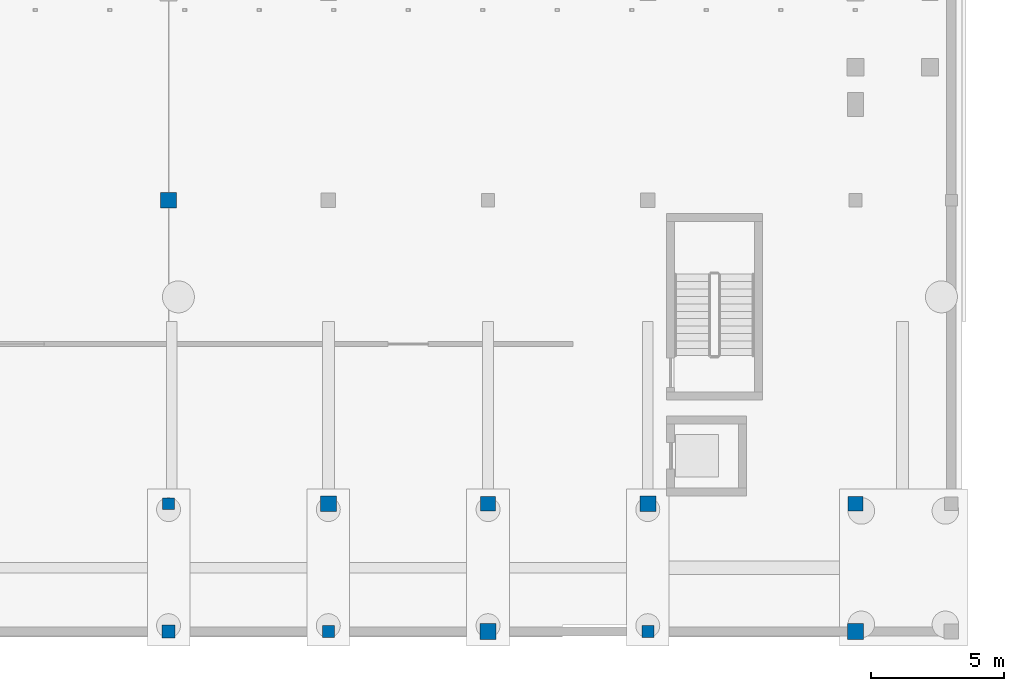
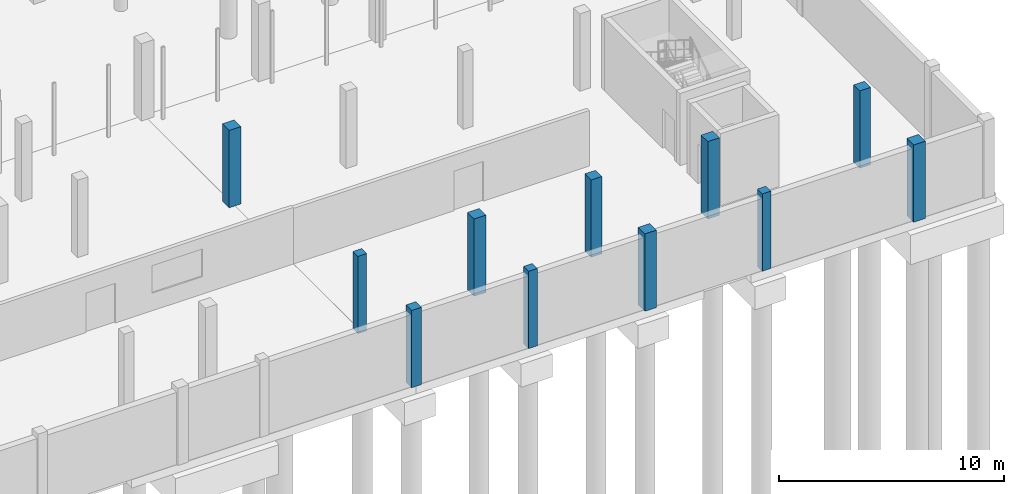
# One storey, part 9 of 34: 11 columns.
"""IFC4 building model written with IfcOpenShell, lengths in metres."""

from ifc_helpers import new_model, si_unit, direction, frame, origin, origin_2d, place, context, subcontext, project, spatial, rectangle, extrude, material, material_profile, profile_set, type_object, element, save


model = new_model("IFC4")

# Units and contexts
model_context = context("Model", 3, precision=1e-05, world=origin(), true_north=direction((0.0, 1.0)))
body_context = subcontext(model_context, "Body", "Model", "MODEL_VIEW")
ifc_project = project(units=[si_unit("LENGTHUNIT", "METRE"), si_unit("AREAUNIT", "SQUARE_METRE"), si_unit("VOLUMEUNIT", "CUBIC_METRE"), si_unit("PLANEANGLEUNIT", "RADIAN"), si_unit("MASSUNIT", "GRAM", prefix="KILO")], contexts=[model_context])

# Site, building, storey
site_placement = place(None, origin())
site = spatial("IfcSite", under=ifc_project, at=site_placement, CompositionType="ELEMENT")
building_placement = place(site_placement, origin())
building = spatial("IfcBuilding", under=site, at=building_placement, Name="Vinh Khe Railworks Police Headquarters", CompositionType="ELEMENT")
storey_placement = place(building_placement, frame((0.0, 0.0, -4.199951171875)))
storey = spatial("IfcBuildingStorey", under=building, at=storey_placement, Name="B1", CompositionType="ELEMENT", Elevation=-4.199951171875)

# Columns
ifc_material = material(Name="Concrete C40/50 (B40)", Category="concrete")
ifc_material_profile_1 = material_profile(ifc_material, rectangle(XDim=0.449951171875, YDim=0.449951171875, at=origin_2d()), Name="RC 450x450")
ifc_profile_set_1 = profile_set([ifc_material_profile_1], Name="Concrete C40/50 (B40)")
column_type_1 = type_object("IfcColumnType", Name="RC Column RC 450x450", PredefinedType="COLUMN", material=ifc_profile_set_1)
for number, where, z_axis, x_axis, name in (
    (1, (34.199951171875, 6.0, 0.0), (0.0, 0.0, 1.0), (1.0, 0.0, 0.0), "Column COL-B1-CC-08-0783"),
    (2, (40.199951171875, 1.199951171875, 0.0), (0.0, 0.0, 1.0), (1.0, 0.0, 0.0), "Column COL-B1-CC-08-0849"),
    (3, (52.199951171875, 1.199951171875, 0.0), (0.0, 0.0, 1.0), (1.0, 0.0, 0.0), "Column COL-B1-CC-08-0959"),
):
    element("IfcColumn", number, at=place(storey_placement, frame(where, z_axis=z_axis, x_axis=x_axis)), inside=storey, type_object=column_type_1, Name=name, PredefinedType="COLUMN", context=body_context, shape_type="SweptSolid", body=[
        extrude(rectangle(XDim=0.449951171875, YDim=0.449951171875, at=origin_2d()), origin(), (0.0, 0.0, 1.0), 4.199951171875),
    ])
ifc_material_profile_2 = material_profile(ifc_material, rectangle(XDim=0.5, YDim=0.5, at=origin_2d()), Name="RC 500x500")
ifc_profile_set_2 = profile_set([ifc_material_profile_2], Name="Concrete C40/50 (B40)")
column_type_2 = type_object("IfcColumnType", Name="RC Column RC 500x500", PredefinedType="COLUMN", material=ifc_profile_set_2)
column_placement = place(storey_placement, frame((34.199951171875, 1.199951171875, 0.0), z_axis=(0.0, 0.0, 1.0), x_axis=(1.0, 0.0, 0.0)))
element("IfcColumn", 4, at=column_placement, inside=storey, type_object=column_type_2, Name="Column COL-B1-CC-07-0780", PredefinedType="COLUMN", context=body_context, shape_type="SweptSolid", body=[
    extrude(rectangle(XDim=0.5, YDim=0.5, at=origin_2d()), origin(), (0.0, 0.0, 1.0), 4.199951171875),
])
ifc_material_profile_3 = material_profile(ifc_material, rectangle(XDim=0.550048828125, YDim=0.550048828125, at=origin_2d()), Name="RC 550x550")
ifc_profile_set_3 = profile_set([ifc_material_profile_3], Name="Concrete C40/50 (B40)")
column_type_3 = type_object("IfcColumnType", Name="RC Column RC 550x550", PredefinedType="COLUMN", material=ifc_profile_set_3)
for number, where, z_axis, x_axis, name in (
    (5, (46.199951171875, 6.0, 0.0), (0.0, 0.0, 1.0), (1.0, 0.0, 0.0), "Column COL-B1-CC-06-0901"),
    (6, (60.0, 6.0, 0.0), (0.0, 0.0, 1.0), (1.0, 0.0, 0.0), "Column COL-B1-CC-06-0995"),
):
    element("IfcColumn", number, at=place(storey_placement, frame(where, z_axis=z_axis, x_axis=x_axis)), inside=storey, type_object=column_type_3, Name=name, PredefinedType="COLUMN", context=body_context, shape_type="SweptSolid", body=[
        extrude(rectangle(XDim=0.550048828125, YDim=0.550048828125, at=origin_2d()), origin(), (0.0, 0.0, 1.0), 4.199951171875),
    ])
ifc_material_profile_4 = material_profile(ifc_material, rectangle(XDim=0.60009765625, YDim=0.60009765625, at=origin_2d()), Name="RC 600x600")
ifc_profile_set_4 = profile_set([ifc_material_profile_4], Name="Concrete C40/50 (B40)")
column_type_4 = type_object("IfcColumnType", Name="RC Column RC 600x600", PredefinedType="COLUMN", material=ifc_profile_set_4)
for number, where, z_axis, x_axis, name in (
    (7, (34.199951171875, 17.39990234375, 0.0), (0.0, 0.0, 1.0), (1.0, 0.0, 0.0), "Column COL-B1-CC-05-0786"),
    (8, (40.199951171875, 6.0, 0.0), (0.0, 0.0, 1.0), (1.0, 0.0, 0.0), "Column COL-B1-CC-05-0852"),
    (9, (46.199951171875, 1.199951171875, 0.0), (0.0, 0.0, 1.0), (1.0, 0.0, 0.0), "Column COL-B1-CC-05-0898"),
    (10, (52.199951171875, 6.0, 0.0), (0.0, 0.0, 1.0), (1.0, 0.0, 0.0), "Column COL-B1-CC-05-0962"),
    (11, (60.0, 1.199951171875, 0.0), (0.0, 0.0, 1.0), (1.0, 0.0, 0.0), "Column COL-B1-CC-05-0992"),
):
    element("IfcColumn", number, at=place(storey_placement, frame(where, z_axis=z_axis, x_axis=x_axis)), inside=storey, type_object=column_type_4, Name=name, PredefinedType="COLUMN", context=body_context, shape_type="SweptSolid", body=[
        extrude(rectangle(XDim=0.60009765625, YDim=0.60009765625, at=origin_2d()), origin(), (0.0, 0.0, 1.0), 4.199951171875),
    ])

save(model, "model.ifc")
